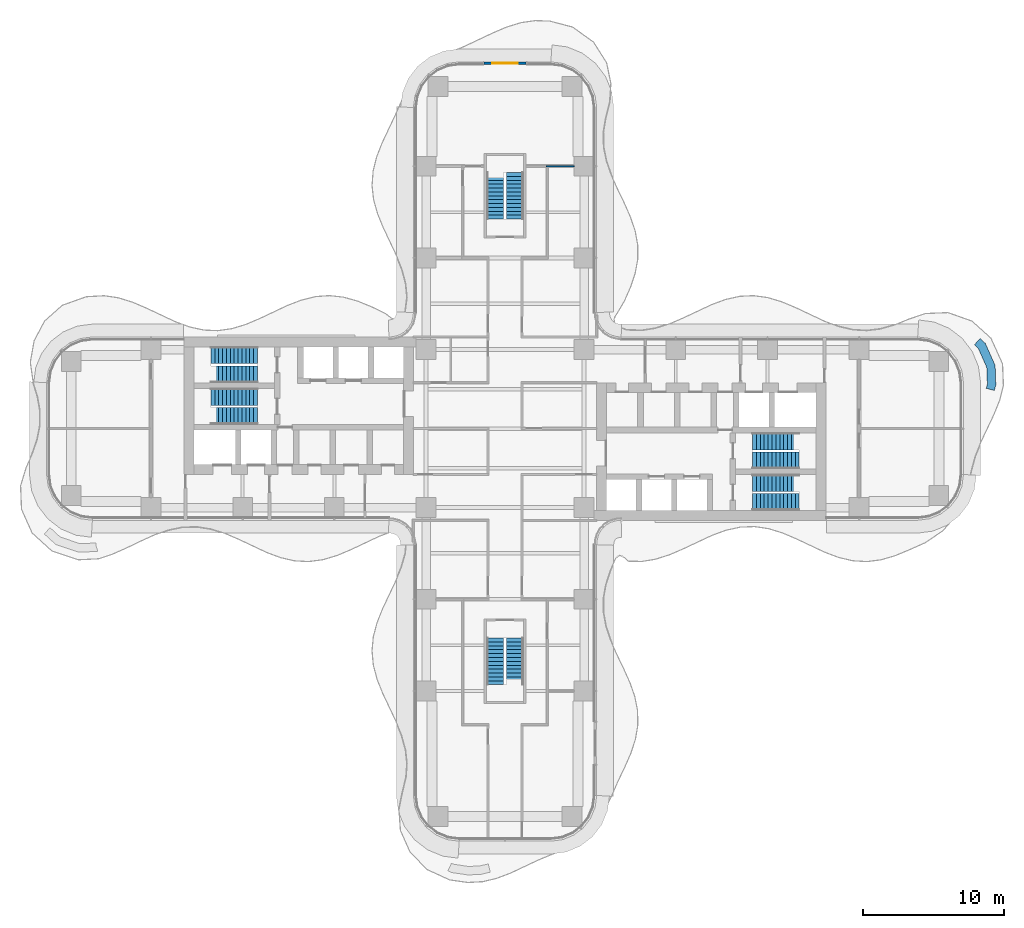
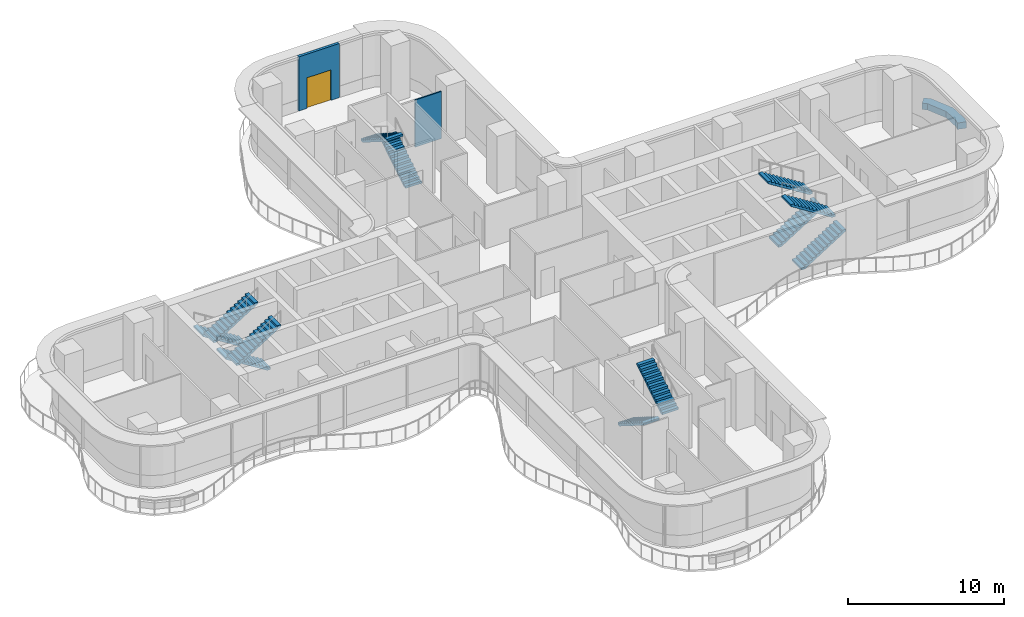
# One storey, part 20 of 22: 12 stair flights, 3 walls, 1 door, 1 opening, 6 elements without a shape of their own.
"""IFC4 building model written with IfcOpenShell, lengths in metres."""

from ifc_helpers import new_model, si_unit, direction, frame, frame_2d, origin, place, context, subcontext, project, spatial, polyline, rectangle, outline, extrude, source, transform, mapped, material, layer, layer_set, type_object, element, fill, aggregate, save


model = new_model("IFC4")

# Units and contexts
model_context = context("Model", 3, precision=1e-05, world=origin(), true_north=direction((0.0, 1.0)))
body_context = subcontext(model_context, "Body", "Model", "MODEL_VIEW")
ifc_project = project(units=[si_unit("LENGTHUNIT", "METRE"), si_unit("AREAUNIT", "SQUARE_METRE"), si_unit("VOLUMEUNIT", "CUBIC_METRE"), si_unit("PLANEANGLEUNIT", "RADIAN"), si_unit("MASSUNIT", "GRAM", prefix="KILO")], contexts=[model_context])

# Site, building, storey
site_placement = place(None, origin())
site = spatial("IfcSite", under=ifc_project, at=site_placement, CompositionType="ELEMENT")
building_placement = place(site_placement, origin())
building = spatial("IfcBuilding", under=site, at=building_placement, Name="Trellis Farm Tower", CompositionType="ELEMENT")
storey_placement = place(building_placement, frame((0.0, 0.0, 70.0)))
storey = spatial("IfcBuildingStorey", under=building, at=storey_placement, Name="L14", CompositionType="ELEMENT", Elevation=70.0)

# Wall
ifc_material_1 = material(Name="Sandstone faced masonry planter", Category="masonry")
ifc_layer_1 = layer(ifc_material_1, 0.60009765625)
ifc_layer_set_1 = layer_set([ifc_layer_1], Name="PLANTER BED 600")
wall_type_1 = type_object("IfcWallType", Name="PLANTER BED 600", PredefinedType="USERDEFINED", material=ifc_layer_set_1)
placement = place(storey_placement, origin())
element("IfcWall", 1, at=placement, inside=storey, type_object=wall_type_1, Name="PLANTER bed", ObjectType="PLANTER", PredefinedType="USERDEFINED", context=body_context, shape_type="SweptSolid", body=[
    extrude(outline(polyline([(34.740966796875, 4.480224609375), (34.79345703125, 3.102294921875), (34.6904296875, 2.704345703125), (34.109619140625, 2.8544921875), (34.1904296875, 3.16748046875), (34.145751953125, 4.34228515625), (33.547607421875, 5.6904296875), (33.269287109375, 5.94140625), (33.671142578125, 6.386962890625), (34.044189453125, 6.050537109375), (34.740966796875, 4.480224609375)])), origin(), (0.0, 0.0, 1.0), 0.5),
])

# Wall, opening, door
ifc_material_2 = material(Name="Sandstone faced insulated wall", Category="masonry")
ifc_layer_2 = layer(ifc_material_2, 0.199951171875)
ifc_layer_set_2 = layer_set([ifc_layer_2], Name="EXTERNAL INFILL WALL 200")
wall_type_2 = type_object("IfcWallType", Name="EXTERNAL INFILL WALL 200", PredefinedType="SOLIDWALL", material=ifc_layer_set_2)
shared_shape_1 = source(origin(), body_context, "Body", "SweptSolid", [
    extrude(rectangle(XDim=3.0, YDim=0.199951171875, at=frame_2d((1.5, 0.0))), origin(), (0.0, 0.0, 1.0), 4.25),
])
wall_2_placement = place(storey_placement, frame((1.5, 25.89990234375, 0.0), z_axis=(0.0, 0.0, 1.0), x_axis=(-1.0, 0.0, 0.0)))
wall_2 = element("IfcWall", 2, at=wall_2_placement, inside=storey, type_object=wall_type_2, Name="EW1 02", PredefinedType="SOLIDWALL", context=body_context, shape_type="MappedRepresentation", body=[
    mapped(shared_shape_1, transform((0.0, 0.0, 0.0))),
])
shared_shape_2 = source(origin(), body_context, "Body", "SweptSolid", [
    extrude(rectangle(XDim=1.800048828125, YDim=2.39990234375, at=frame_2d((0.89990234375, 1.199951171875))), frame((0.0, 0.110107421875, 0.0), z_axis=(0.0, -1.0, 0.0), x_axis=(1.0, 0.0, 0.0)), (0.0, 0.0, 1.0), 0.22021484375),
])
opening_placement = place(wall_2_placement, frame((0.60009765625, 0.0, 0.0)))
opening = element("IfcOpeningElement", 3, at=opening_placement, cuts=wall_2, Name="Opening ED1", PredefinedType="OPENING", context=body_context, shape_type="MappedRepresentation", body=[
    mapped(shared_shape_2, transform((0.0, 0.0, 0.0))),
])
ifc_material_3 = material(Name="Aluminium framed glazed door", Category="aluminium")
door_type = type_object("IfcDoorType", Name="BALCONY DOOR 1800x2400", OperationType="DOUBLE_DOOR_SINGLE_SWING", PredefinedType="DOOR", material=ifc_material_3)
shared_shape_3 = source(origin(), body_context, "Body", "SweptSolid", [
    extrude(rectangle(XDim=1.800048828125, YDim=2.39990234375, at=frame_2d((0.89990234375, 1.199951171875))), frame((0.0, 0.02490234375, 0.0), z_axis=(0.0, -1.0, 0.0), x_axis=(1.0, 0.0, 0.0)), (0.0, 0.0, 1.0), 0.050048828125),
])
door_placement = place(opening_placement, origin())
door = element("IfcDoor", 4, at=door_placement, inside=storey, type_object=door_type, Name="Balcony door", OperationType="DOUBLE_DOOR_SINGLE_SWING", OverallHeight=2.39990234375, OverallWidth=1.800048828125, PredefinedType="DOOR", context=body_context, shape_type="MappedRepresentation", body=[
    mapped(shared_shape_3, transform((0.0, 0.0, 0.0))),
])
fill(opening, door)

# Wall
ifc_material_4 = material(Name="Plasterboard on steel studs", Category="steel")
ifc_layer_3 = layer(ifc_material_4, 0.10009765625)
ifc_layer_set_3 = layer_set([ifc_layer_3], Name="PARTITION 100 STUD EI 30")
wall_type_3 = type_object("IfcWallType", Name="PARTITION 100 STUD EI 30", PredefinedType="PARTITIONING", material=ifc_layer_set_3)
shared_shape_4 = source(origin(), body_context, "Body", "SweptSolid", [
    extrude(rectangle(XDim=1.96240234375, YDim=0.10009765625, at=frame_2d((0.981201171875, 0.0))), origin(), (0.0, 0.0, 1.0), 3.697021484375),
])
wall_3_placement = place(storey_placement, frame((2.9375, 18.60009765625, 0.0), z_axis=(0.0, 0.0, 1.0), x_axis=(1.0, 0.0, 0.0)))
element("IfcWall", 5, at=wall_3_placement, inside=storey, type_object=wall_type_3, Name="Partition PW2", PredefinedType="PARTITIONING", context=body_context, shape_type="MappedRepresentation", body=[
    mapped(shared_shape_4, transform((0.0, 0.0, 0.0))),
])

# Stair, stair flights
ifc_material_5 = material(Name="Concrete C50/60", Category="concrete")
stair_type = type_object("IfcStairType", Name="CORE EXIT STAIR 26 RISERS 173 MM", PredefinedType="HALF_TURN_STAIR", material=ifc_material_5)
stair_1 = element("IfcStair", 6, at=placement, inside=storey, type_object=stair_type, Name="Exit stair N", PredefinedType="HALF_TURN_STAIR")
stair_flight_type = type_object("IfcStairFlightType", Name="STAIR FLIGHT 13 RISERS 173 MM", PredefinedType="STRAIGHT", material=ifc_material_5)
shared_shape_5 = source(origin(), body_context, "Body", "SweptSolid", [
    extrude(outline(polyline([(0.0, 0.0), (0.0, 0.173095703125), (0.27490234375, 0.173095703125), (0.27490234375, 0.34619140625), (0.550048828125, 0.34619140625), (0.550048828125, 0.519287109375), (0.824951171875, 0.519287109375), (0.824951171875, 0.6923828125), (1.10009765625, 0.6923828125), (1.10009765625, 0.865478515625), (1.375, 0.865478515625), (1.375, 1.03857421875), (1.64990234375, 1.03857421875), (1.64990234375, 1.21142578125), (1.925048828125, 1.21142578125), (1.925048828125, 1.384521484375), (2.199951171875, 1.384521484375), (2.199951171875, 1.5576171875), (2.47509765625, 1.5576171875), (2.47509765625, 1.730712890625), (2.75, 1.730712890625), (2.75, 1.90380859375), (3.02490234375, 1.90380859375), (3.02490234375, 2.076904296875), (3.300048828125, 2.076904296875), (3.300048828125, 2.25), (3.300048828125, 1.92333984375), (0.243896484375, 0.0), (0.0, 0.0)])), frame((0.0, 0.60009765625, 0.0), z_axis=(0.0, -1.0, 0.0), x_axis=(1.0, 0.0, 0.0)), (0.0, 0.0, 1.0), 1.199951171875),
])
stair_flight_1_placement = place(storey_placement, frame((0.699951171875, 14.85009765625, 0.0), z_axis=(0.0, 0.0, 1.0), x_axis=(0.0, 1.0, 0.0)))
stair_flight_1 = element("IfcStairFlight", 7, at=stair_flight_1_placement, type_object=stair_flight_type, Name="STN flight 1", NumberOfRisers=13, NumberOfTreads=12, PredefinedType="STRAIGHT", RiserHeight=0.173076923, TreadLength=0.275, context=body_context, shape_type="MappedRepresentation", body=[
    mapped(shared_shape_5, transform((0.0, 0.0, 0.0))),
])
stair_flight_2_placement = place(storey_placement, frame((-0.699951171875, 18.14990234375, 2.25), z_axis=(0.0, 0.0, 1.0), x_axis=(0.0, -1.0, 0.0)))
stair_flight_2 = element("IfcStairFlight", 8, at=stair_flight_2_placement, type_object=stair_flight_type, Name="STN flight 2", NumberOfRisers=13, NumberOfTreads=12, PredefinedType="STRAIGHT", RiserHeight=0.173076923, TreadLength=0.275, context=body_context, shape_type="MappedRepresentation", body=[
    mapped(shared_shape_5, transform((0.0, 0.0, 0.0))),
])
aggregate(stair_1, [stair_flight_1, stair_flight_2])

stair_2 = element("IfcStair", 9, at=placement, inside=storey, type_object=stair_type, Name="Exit stair S", PredefinedType="HALF_TURN_STAIR")
stair_flight_3_placement = place(storey_placement, frame((-0.699951171875, -14.85009765625, 0.0), z_axis=(0.0, 0.0, 1.0), x_axis=(0.0, -1.0, 0.0)))
stair_flight_3 = element("IfcStairFlight", 10, at=stair_flight_3_placement, type_object=stair_flight_type, Name="STS flight 1", NumberOfRisers=13, NumberOfTreads=12, PredefinedType="STRAIGHT", RiserHeight=0.173076923, TreadLength=0.275, context=body_context, shape_type="MappedRepresentation", body=[
    mapped(shared_shape_5, transform((0.0, 0.0, 0.0))),
])
stair_flight_4_placement = place(storey_placement, frame((0.699951171875, -18.14990234375, 2.25), z_axis=(0.0, 0.0, 1.0), x_axis=(0.0, 1.0, 0.0)))
stair_flight_4 = element("IfcStairFlight", 11, at=stair_flight_4_placement, type_object=stair_flight_type, Name="STS flight 2", NumberOfRisers=13, NumberOfTreads=12, PredefinedType="STRAIGHT", RiserHeight=0.173076923, TreadLength=0.275, context=body_context, shape_type="MappedRepresentation", body=[
    mapped(shared_shape_5, transform((0.0, 0.0, 0.0))),
])
aggregate(stair_2, [stair_flight_3, stair_flight_4])

stair_3 = element("IfcStair", 12, at=placement, inside=storey, type_object=stair_type, Name="Exit stair E1", PredefinedType="HALF_TURN_STAIR")
stair_flight_5_placement = place(storey_placement, frame((17.550048828125, -5.199951171875, 0.0), z_axis=(0.0, 0.0, 1.0), x_axis=(1.0, 0.0, 0.0)))
stair_flight_5 = element("IfcStairFlight", 13, at=stair_flight_5_placement, type_object=stair_flight_type, Name="STE1 flight 1", NumberOfRisers=13, NumberOfTreads=12, PredefinedType="STRAIGHT", RiserHeight=0.173076923, TreadLength=0.275, context=body_context, shape_type="MappedRepresentation", body=[
    mapped(shared_shape_5, transform((0.0, 0.0, 0.0))),
])
stair_flight_6_placement = place(storey_placement, frame((20.85009765625, -3.85009765625, 2.25), z_axis=(0.0, 0.0, 1.0), x_axis=(-1.0, 0.0, 0.0)))
stair_flight_6 = element("IfcStairFlight", 14, at=stair_flight_6_placement, type_object=stair_flight_type, Name="STE1 flight 2", NumberOfRisers=13, NumberOfTreads=12, PredefinedType="STRAIGHT", RiserHeight=0.173076923, TreadLength=0.275, context=body_context, shape_type="MappedRepresentation", body=[
    mapped(shared_shape_5, transform((0.0, 0.0, 0.0))),
])
aggregate(stair_3, [stair_flight_5, stair_flight_6])

stair_4 = element("IfcStair", 15, at=placement, inside=storey, type_object=stair_type, Name="Exit stair E2", PredefinedType="HALF_TURN_STAIR")
stair_flight_7_placement = place(storey_placement, frame((17.550048828125, -2.25, 0.0), z_axis=(0.0, 0.0, 1.0), x_axis=(1.0, 0.0, 0.0)))
stair_flight_7 = element("IfcStairFlight", 16, at=stair_flight_7_placement, type_object=stair_flight_type, Name="STE2 flight 1", NumberOfRisers=13, NumberOfTreads=12, PredefinedType="STRAIGHT", RiserHeight=0.173076923, TreadLength=0.275, context=body_context, shape_type="MappedRepresentation", body=[
    mapped(shared_shape_5, transform((0.0, 0.0, 0.0))),
])
stair_flight_8_placement = place(storey_placement, frame((20.85009765625, -0.89990234375, 2.25), z_axis=(0.0, 0.0, 1.0), x_axis=(-1.0, 0.0, 0.0)))
stair_flight_8 = element("IfcStairFlight", 17, at=stair_flight_8_placement, type_object=stair_flight_type, Name="STE2 flight 2", NumberOfRisers=13, NumberOfTreads=12, PredefinedType="STRAIGHT", RiserHeight=0.173076923, TreadLength=0.275, context=body_context, shape_type="MappedRepresentation", body=[
    mapped(shared_shape_5, transform((0.0, 0.0, 0.0))),
])
aggregate(stair_4, [stair_flight_7, stair_flight_8])

stair_5 = element("IfcStair", 18, at=placement, inside=storey, type_object=stair_type, Name="Exit stair W1", PredefinedType="HALF_TURN_STAIR")
stair_flight_9_placement = place(storey_placement, frame((-17.550048828125, 5.199951171875, 0.0), z_axis=(0.0, 0.0, 1.0), x_axis=(-1.0, 0.0, 0.0)))
stair_flight_9 = element("IfcStairFlight", 19, at=stair_flight_9_placement, type_object=stair_flight_type, Name="STW1 flight 1", NumberOfRisers=13, NumberOfTreads=12, PredefinedType="STRAIGHT", RiserHeight=0.173076923, TreadLength=0.275, context=body_context, shape_type="MappedRepresentation", body=[
    mapped(shared_shape_5, transform((0.0, 0.0, 0.0))),
])
stair_flight_10_placement = place(storey_placement, frame((-20.85009765625, 3.85009765625, 2.25), z_axis=(0.0, 0.0, 1.0), x_axis=(1.0, 0.0, 0.0)))
stair_flight_10 = element("IfcStairFlight", 20, at=stair_flight_10_placement, type_object=stair_flight_type, Name="STW1 flight 2", NumberOfRisers=13, NumberOfTreads=12, PredefinedType="STRAIGHT", RiserHeight=0.173076923, TreadLength=0.275, context=body_context, shape_type="MappedRepresentation", body=[
    mapped(shared_shape_5, transform((0.0, 0.0, 0.0))),
])
aggregate(stair_5, [stair_flight_9, stair_flight_10])

stair_6 = element("IfcStair", 21, at=placement, inside=storey, type_object=stair_type, Name="Exit stair W2", PredefinedType="HALF_TURN_STAIR")
stair_flight_11_placement = place(storey_placement, frame((-17.550048828125, 2.25, 0.0), z_axis=(0.0, 0.0, 1.0), x_axis=(-1.0, 0.0, 0.0)))
stair_flight_11 = element("IfcStairFlight", 22, at=stair_flight_11_placement, type_object=stair_flight_type, Name="STW2 flight 1", NumberOfRisers=13, NumberOfTreads=12, PredefinedType="STRAIGHT", RiserHeight=0.173076923, TreadLength=0.275, context=body_context, shape_type="MappedRepresentation", body=[
    mapped(shared_shape_5, transform((0.0, 0.0, 0.0))),
])
stair_flight_12_placement = place(storey_placement, frame((-20.85009765625, 0.89990234375, 2.25), z_axis=(0.0, 0.0, 1.0), x_axis=(1.0, 0.0, 0.0)))
stair_flight_12 = element("IfcStairFlight", 23, at=stair_flight_12_placement, type_object=stair_flight_type, Name="STW2 flight 2", NumberOfRisers=13, NumberOfTreads=12, PredefinedType="STRAIGHT", RiserHeight=0.173076923, TreadLength=0.275, context=body_context, shape_type="MappedRepresentation", body=[
    mapped(shared_shape_5, transform((0.0, 0.0, 0.0))),
])
aggregate(stair_6, [stair_flight_11, stair_flight_12])

save(model, "model.ifc")
